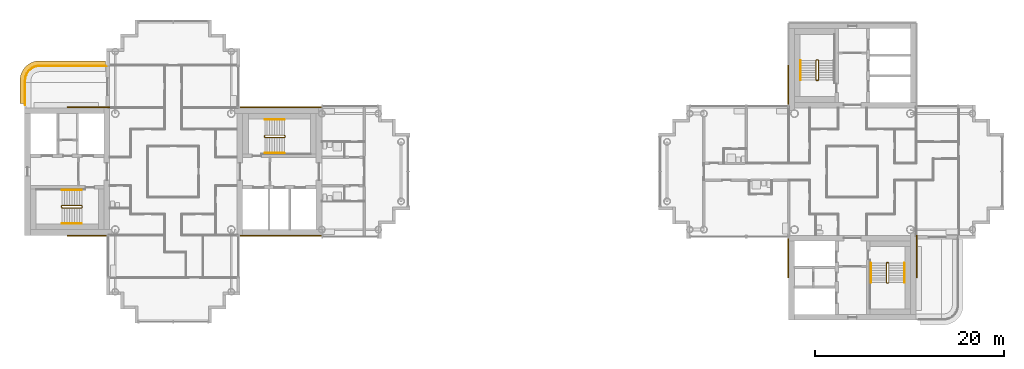
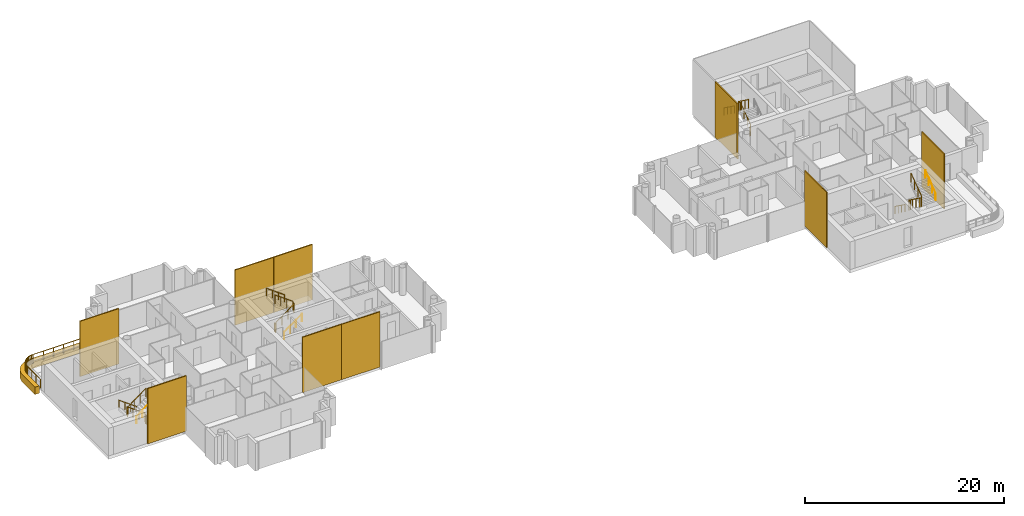
# One storey, part 16 of 18: 12 railings, 10 coverings.
"""IFC4 building model written with IfcOpenShell, lengths in metres."""

from ifc_helpers import new_model, si_unit, direction, frame, origin, origin_2d, place, context, subcontext, project, spatial, polyline, rectangle, circle, outline, extrude, material, layer, layer_set, type_object, element, save


model = new_model("IFC4")

# Units and contexts
model_context = context("Model", 3, precision=1e-05, world=origin(), true_north=direction((0.0, 1.0)))
body_context = subcontext(model_context, "Body", "Model", "MODEL_VIEW")
ifc_project = project(units=[si_unit("LENGTHUNIT", "METRE"), si_unit("AREAUNIT", "SQUARE_METRE"), si_unit("VOLUMEUNIT", "CUBIC_METRE"), si_unit("PLANEANGLEUNIT", "RADIAN"), si_unit("MASSUNIT", "GRAM", prefix="KILO")], contexts=[model_context])

# Site, building, storey
site_placement = place(None, origin())
site = spatial("IfcSite", under=ifc_project, at=site_placement, CompositionType="ELEMENT")
building_placement = place(site_placement, origin())
building = spatial("IfcBuilding", under=site, at=building_placement, Name="Ipe Terrace Towers", CompositionType="ELEMENT")
storey_placement = place(building_placement, frame((0.0, 0.0, 213.0)))
storey = spatial("IfcBuildingStorey", under=building, at=storey_placement, Name="L59", CompositionType="ELEMENT", Elevation=213.0)

# Railing
ifc_material_1 = material(Name="Stainless steel S316", Category="steel")
railing_type_1 = type_object("IfcRailingType", Name="GUARD 1100", PredefinedType="BALUSTRADE", material=ifc_material_1)
railing_1_placement = place(storey_placement, frame((-43.070068359375, 11.199951171875, -0.02001953125)))
element("IfcRailing", 1, at=railing_1_placement, inside=storey, type_object=railing_type_1, Name="guard", PredefinedType="BALUSTRADE", context=body_context, shape_type="SweptSolid", body=[
    extrude(circle(Radius=0.02392578125, at=origin_2d()), frame((0.0, 0.0, 1.076171875), z_axis=(-1.0, 0.0, 0.0), x_axis=(0.0, -1.0, 0.0)), (0.0, 0.0, 1.0), 7.077880859375),
    extrude(circle(Radius=0.02392578125, at=origin_2d()), frame((-7.077880859375, 0.0, 1.076171875), z_axis=(-0.997996439513, -0.063270109204, 0.0), x_axis=(0.063270109204, -0.997996439513, 0.0)), (0.0, 0.0, 1.0), 0.20458984375),
    extrude(circle(Radius=0.02392578125, at=origin_2d()), frame((-7.281982421875, -0.012939453125, 1.076171875), z_axis=(-0.980348670139, -0.197272615832, 0.0), x_axis=(0.197272615832, -0.980348670139, 0.0)), (0.0, 0.0, 1.0), 0.202880859375),
    extrude(circle(Radius=0.02392578125, at=origin_2d()), frame((-7.48095703125, -0.052978515625, 1.076171875), z_axis=(-0.947227229435, -0.320562904618, 0.0), x_axis=(0.320562904618, -0.947227229435, 0.0)), (0.0, 0.0, 1.0), 0.20263671875),
    extrude(circle(Radius=0.02392578125, at=origin_2d()), frame((-7.6728515625, -0.117919921875, 1.076171875), z_axis=(-0.896341374877, -0.443364567466, 0.0), x_axis=(0.443364567466, -0.896341374877, 0.0)), (0.0, 0.0, 1.0), 0.203125),
    extrude(circle(Radius=0.02392578125, at=origin_2d()), frame((-7.85498046875, -0.2080078125, 1.076171875), z_axis=(-0.833344910936, -0.552753344103, 0.0), x_axis=(0.552753344103, -0.833344910936, 0.0)), (0.0, 0.0, 1.0), 0.20263671875),
    extrude(circle(Radius=0.02392578125, at=origin_2d()), frame((-8.02392578125, -0.320068359375, 1.076171875), z_axis=(-0.750856952854, -0.660464863827, 0.0), x_axis=(0.660464863827, -0.750856952854, 0.0)), (0.0, 0.0, 1.0), 0.20263671875),
    extrude(circle(Radius=0.02392578125, at=origin_2d()), frame((-8.176025390625, -0.453857421875, 1.076171875), z_axis=(-0.660464863827, -0.750856952854, 0.0), x_axis=(0.750856952854, -0.660464863827, 0.0)), (0.0, 0.0, 1.0), 0.20263671875),
    extrude(circle(Radius=0.02392578125, at=origin_2d()), frame((-8.309814453125, -0.60595703125, 1.076171875), z_axis=(-0.552753344103, -0.833344910936, 0.0), x_axis=(0.833344910936, -0.552753344103, 0.0)), (0.0, 0.0, 1.0), 0.20263671875),
    extrude(circle(Radius=0.02392578125, at=origin_2d()), frame((-8.421875, -0.77490234375, 1.076171875), z_axis=(-0.443364567466, -0.896341374877, 0.0), x_axis=(0.896341374877, -0.443364567466, 0.0)), (0.0, 0.0, 1.0), 0.203125),
    extrude(circle(Radius=0.02392578125, at=origin_2d()), frame((-8.511962890625, -0.95703125, 1.076171875), z_axis=(-0.320562904618, -0.947227229435, 0.0), x_axis=(0.947227229435, -0.320562904618, 0.0)), (0.0, 0.0, 1.0), 0.20263671875),
    extrude(circle(Radius=0.02392578125, at=origin_2d()), frame((-8.576904296875, -1.14892578125, 1.076171875), z_axis=(-0.197272615832, -0.980348670139, 0.0), x_axis=(0.980348670139, -0.197272615832, 0.0)), (0.0, 0.0, 1.0), 0.202880859375),
    extrude(circle(Radius=0.02392578125, at=origin_2d()), frame((-8.616943359375, -1.347900390625, 1.076171875), z_axis=(-0.063270109204, -0.997996439513, 0.0), x_axis=(0.997996439513, -0.063270109204, 0.0)), (0.0, 0.0, 1.0), 0.20458984375),
    extrude(circle(Radius=0.02392578125, at=origin_2d()), frame((-8.6298828125, -1.552001953125, 1.076171875), z_axis=(0.0, -1.0, 0.0), x_axis=(1.0, 0.0, 0.0)), (0.0, 0.0, 1.0), 2.577880859375),
    extrude(circle(Radius=0.02099609375, at=origin_2d()), origin(), (0.0, 0.0, 1.0), 1.052001953125),
    extrude(circle(Radius=0.02099609375, at=origin_2d()), frame((-1.1796875, 0.0, 0.0)), (0.0, 0.0, 1.0), 1.052001953125),
    extrude(circle(Radius=0.02099609375, at=origin_2d()), frame((-2.359375, 0.0, 0.0)), (0.0, 0.0, 1.0), 1.052001953125),
    extrude(circle(Radius=0.02099609375, at=origin_2d()), frame((-3.5390625, 0.0, 0.0)), (0.0, 0.0, 1.0), 1.052001953125),
    extrude(circle(Radius=0.02099609375, at=origin_2d()), frame((-4.718505859375, 0.0, 0.0)), (0.0, 0.0, 1.0), 1.052001953125),
    extrude(circle(Radius=0.02099609375, at=origin_2d()), frame((-5.898193359375, 0.0, 0.0)), (0.0, 0.0, 1.0), 1.052001953125),
    extrude(circle(Radius=0.02099609375, at=origin_2d()), frame((-7.077880859375, 0.0, 0.0)), (0.0, 0.0, 1.0), 1.052001953125),
    extrude(circle(Radius=0.02099609375, at=origin_2d()), frame((-7.281982421875, -0.012939453125, 0.0)), (0.0, 0.0, 1.0), 1.052001953125),
    extrude(circle(Radius=0.02099609375, at=origin_2d()), frame((-7.48095703125, -0.052978515625, 0.0)), (0.0, 0.0, 1.0), 1.052001953125),
    extrude(circle(Radius=0.02099609375, at=origin_2d()), frame((-7.6728515625, -0.117919921875, 0.0)), (0.0, 0.0, 1.0), 1.052001953125),
    extrude(circle(Radius=0.02099609375, at=origin_2d()), frame((-7.85498046875, -0.2080078125, 0.0)), (0.0, 0.0, 1.0), 1.052001953125),
    extrude(circle(Radius=0.02099609375, at=origin_2d()), frame((-8.02392578125, -0.320068359375, 0.0)), (0.0, 0.0, 1.0), 1.052001953125),
    extrude(circle(Radius=0.02099609375, at=origin_2d()), frame((-8.176025390625, -0.453857421875, 0.0)), (0.0, 0.0, 1.0), 1.052001953125),
    extrude(circle(Radius=0.02099609375, at=origin_2d()), frame((-8.309814453125, -0.60595703125, 0.0)), (0.0, 0.0, 1.0), 1.052001953125),
    extrude(circle(Radius=0.02099609375, at=origin_2d()), frame((-8.421875, -0.77490234375, 0.0)), (0.0, 0.0, 1.0), 1.052001953125),
    extrude(circle(Radius=0.02099609375, at=origin_2d()), frame((-8.511962890625, -0.95703125, 0.0)), (0.0, 0.0, 1.0), 1.052001953125),
    extrude(circle(Radius=0.02099609375, at=origin_2d()), frame((-8.576904296875, -1.14892578125, 0.0)), (0.0, 0.0, 1.0), 1.052001953125),
    extrude(circle(Radius=0.02099609375, at=origin_2d()), frame((-8.616943359375, -1.347900390625, 0.0)), (0.0, 0.0, 1.0), 1.052001953125),
    extrude(circle(Radius=0.02099609375, at=origin_2d()), frame((-8.6298828125, -1.552001953125, 0.0)), (0.0, 0.0, 1.0), 1.052001953125),
    extrude(circle(Radius=0.02099609375, at=origin_2d()), frame((-8.6298828125, -2.411376953125, 0.0)), (0.0, 0.0, 1.0), 1.052001953125),
    extrude(circle(Radius=0.02099609375, at=origin_2d()), frame((-8.6298828125, -3.2705078125, 0.0)), (0.0, 0.0, 1.0), 1.052001953125),
    extrude(circle(Radius=0.02099609375, at=origin_2d()), frame((-8.6298828125, -4.1298828125, 0.0)), (0.0, 0.0, 1.0), 1.052001953125),
])

# Coverings
ifc_material_2 = material(Name="Concrete C50/60 precast, buff finish", Category="concrete")
ifc_layer_1 = layer(ifc_material_2, 0.1201171875)
ifc_layer_set_1 = layer_set([ifc_layer_1], Name="STONE CORE CLADDING 120")
covering_type_1 = type_object("IfcCoveringType", Name="STONE CORE CLADDING 120", PredefinedType="CLADDING", material=ifc_layer_set_1)
for number, where, z_axis, x_axis, name in (
    (2, (-45.0, -6.81005859375, 0.0), (0.0, 0.0, 1.0), (1.0, 0.0, 0.0), "stone core cladding"),
    (3, (-45.0, 6.81005859375, 0.0), (0.0, 0.0, 1.0), (-1.0, 0.0, 0.0), "stone core cladding"),
    (4, (-27.0, -6.81005859375, 0.0), (0.0, 0.0, 1.0), (1.0, 0.0, 0.0), "stone core cladding"),
):
    element("IfcCovering", number, at=place(storey_placement, frame(where, z_axis=z_axis, x_axis=x_axis)), inside=storey, type_object=covering_type_1, Name=name, PredefinedType="CLADDING", context=body_context, shape_type="SweptSolid", body=[
        extrude(rectangle(XDim=4.5, YDim=0.1201171875, at=origin_2d()), origin(), (0.0, 0.0, 1.0), 6.800048828125),
    ])
covering_1_placement = place(storey_placement, frame((-22.4990234375, -6.81005859375, 0.0), z_axis=(0.0, 0.0, 1.0), x_axis=(1.0, 0.0, 0.0)))
element("IfcCovering", 5, at=covering_1_placement, inside=storey, type_object=covering_type_1, Name="stone core cladding", PredefinedType="CLADDING", context=body_context, shape_type="SweptSolid", body=[
    extrude(rectangle(XDim=4.5009765625, YDim=0.1201171875, at=origin_2d()), origin(), (0.0, 0.0, 1.0), 6.800048828125),
])
covering_2_placement = place(storey_placement, frame((-27.0, 6.81005859375, 0.0), z_axis=(0.0, 0.0, 1.0), x_axis=(-1.0, 0.0, 0.0)))
element("IfcCovering", 6, at=covering_2_placement, inside=storey, type_object=covering_type_1, Name="stone core cladding", PredefinedType="CLADDING", context=body_context, shape_type="SweptSolid", body=[
    extrude(rectangle(XDim=4.5, YDim=0.1201171875, at=origin_2d()), origin(), (0.0, 0.0, 1.0), 6.800048828125),
])
covering_3_placement = place(storey_placement, frame((-22.4990234375, 6.81005859375, 0.0), z_axis=(0.0, 0.0, 1.0), x_axis=(-1.0, 0.0, 0.0)))
element("IfcCovering", 7, at=covering_3_placement, inside=storey, type_object=covering_type_1, Name="stone core cladding", PredefinedType="CLADDING", context=body_context, shape_type="SweptSolid", body=[
    extrude(rectangle(XDim=4.5009765625, YDim=0.1201171875, at=origin_2d()), origin(), (0.0, 0.0, 1.0), 6.800048828125),
])
for number, where, z_axis, x_axis, name in (
    (8, (29.18994140625, -9.0, 0.0), (0.0, 0.0, 1.0), (0.0, -1.0, 0.0), "stone core cladding"),
    (9, (29.18994140625, 9.0, 0.0), (0.0, 0.0, 1.0), (0.0, -1.0, 0.0), "stone core cladding"),
    (10, (42.81005859375, -9.0, 0.0), (0.0, 0.0, 1.0), (0.0, 1.0, 0.0), "stone core cladding"),
):
    element("IfcCovering", number, at=place(storey_placement, frame(where, z_axis=z_axis, x_axis=x_axis)), inside=storey, type_object=covering_type_1, Name=name, PredefinedType="CLADDING", context=body_context, shape_type="SweptSolid", body=[
        extrude(rectangle(XDim=4.5, YDim=0.1201171875, at=origin_2d()), origin(), (0.0, 0.0, 1.0), 6.800048828125),
    ])
ifc_material_3 = material(Name="Concrete C50/60 precast, buff finish", Category="concrete")
ifc_layer_2 = layer(ifc_material_3, 0.5)
ifc_layer_set_2 = layer_set([ifc_layer_2], Name="STONE EDGE BAND 500 x 900")
covering_type_2 = type_object("IfcCoveringType", Name="STONE EDGE BAND 500 x 900", PredefinedType="CLADDING", material=ifc_layer_set_2)
covering_4_placement = place(storey_placement, frame((0.0, 0.0, -0.719970703125)))
element("IfcCovering", 11, at=covering_4_placement, inside=storey, type_object=covering_type_2, Name="stone edge band", PredefinedType="CLADDING", context=body_context, shape_type="SweptSolid", body=[
    extrude(outline(polyline([(-50.14990234375, 11.75), (-50.18310546875, 11.7490234375), (-50.39208984375, 11.735107421875), (-50.4560546875, 11.72705078125), (-50.662109375, 11.68603515625), (-50.72509765625, 11.6689453125), (-50.923095703125, 11.60205078125), (-50.98291015625, 11.576904296875), (-51.1708984375, 11.48388671875), (-51.22802734375, 11.450927734375), (-51.402099609375, 11.3349609375), (-51.4541015625, 11.294921875), (-51.611083984375, 11.156982421875), (-51.656982421875, 11.111083984375), (-51.794921875, 10.9541015625), (-51.8349609375, 10.902099609375), (-51.950927734375, 10.72802734375), (-51.98388671875, 10.6708984375), (-52.076904296875, 10.48291015625), (-52.10205078125, 10.423095703125), (-52.1689453125, 10.22509765625), (-52.18603515625, 10.162109375), (-52.22705078125, 9.9560546875), (-52.235107421875, 9.89208984375), (-52.2490234375, 9.68310546875), (-52.25, 9.64990234375), (-52.25, 7.199951171875), (-51.75, 7.199951171875), (-51.75, 9.64990234375), (-51.736083984375, 9.85888671875), (-51.695068359375, 10.06396484375), (-51.6279296875, 10.261962890625), (-51.535888671875, 10.449951171875), (-51.4189453125, 10.6240234375), (-51.281005859375, 10.781005859375), (-51.1240234375, 10.9189453125), (-50.949951171875, 11.035888671875), (-50.761962890625, 11.1279296875), (-50.56396484375, 11.195068359375), (-50.35888671875, 11.236083984375), (-50.14990234375, 11.25), (-43.199951171875, 11.25), (-43.199951171875, 11.75), (-50.14990234375, 11.75)])), origin(), (0.0, 0.0, 1.0), 0.89990234375),
])

# Railings
ifc_material_4 = material(Name="Steel S355", Category="steel")
railing_type_2 = type_object("IfcRailingType", Name="Stair guard 1100", PredefinedType="GUARDRAIL", material=ifc_material_4)
railing_2_placement = place(storey_placement, frame((-26.35009765625, 3.800048828125, 0.0)))
element("IfcRailing", 12, at=railing_2_placement, inside=storey, type_object=railing_type_2, Name="L59 T1-ST1 stair guard 1", PredefinedType="GUARDRAIL", context=body_context, shape_type="SweptSolid", body=[
    extrude(circle(Radius=0.02392578125, at=origin_2d()), frame((0.0, 0.0, 1.076171875), z_axis=(0.0, -1.0, 0.0), x_axis=(1.0, 0.0, 0.0)), (0.0, 0.0, 1.0), 0.150146484375),
    extrude(circle(Radius=0.02392578125, at=origin_2d()), frame((0.0, -0.150146484375, 1.076171875), z_axis=(0.248103849378, -0.246893586699, 0.936743314239), x_axis=(0.705375805398, 0.708833529934, 0.0)), (0.0, 0.0, 1.0), 0.20166015625),
    extrude(circle(Radius=0.02392578125, at=origin_2d()), frame((0.050048828125, -0.199951171875, 1.26513671875), z_axis=(0.809068575486, 0.0, 0.587714250432), x_axis=(0.0, 1.0, 0.0)), (0.0, 0.0, 1.0), 2.571044921875),
    extrude(circle(Radius=0.02392578125, at=origin_2d()), frame((2.130126953125, -0.199951171875, 2.77587890625), z_axis=(0.708833529934, 0.705375805398, 0.0), x_axis=(-0.705375805398, 0.708833529934, 0.0)), (0.0, 0.0, 1.0), 0.070556640625),
    extrude(circle(Radius=0.02392578125, at=origin_2d()), frame((2.18017578125, -0.150146484375, 2.77587890625), z_axis=(0.0, 1.0, 0.0), x_axis=(-1.0, 0.0, 0.0)), (0.0, 0.0, 1.0), 0.150146484375),
    extrude(circle(Radius=0.02392578125, at=origin_2d()), frame((2.18017578125, 0.0, 2.77587890625), z_axis=(-0.248029566107, 0.248029566107, 0.936462849596), x_axis=(-0.707106781187, -0.707106781187, 0.0)), (0.0, 0.0, 1.0), 0.201904296875),
    extrude(circle(Radius=0.02392578125, at=origin_2d()), frame((2.130126953125, 0.050048828125, 2.96484375), z_axis=(-0.809068575486, 0.0, 0.587714250432), x_axis=(0.0, -1.0, 0.0)), (0.0, 0.0, 1.0), 2.571044921875),
    extrude(circle(Radius=0.02099609375, at=origin_2d()), origin(), (0.0, 0.0, 1.0), 1.052001953125),
    extrude(circle(Radius=0.02099609375, at=origin_2d()), frame((0.0, -0.150146484375, 0.0)), (0.0, 0.0, 1.0), 1.052001953125),
    extrude(circle(Radius=0.02099609375, at=origin_2d()), frame((0.050048828125, -0.199951171875, 0.18896484375)), (0.0, 0.0, 1.0), 1.052001953125),
    extrude(circle(Radius=0.02099609375, at=origin_2d()), frame((0.743408203125, -0.199951171875, 0.692626953125)), (0.0, 0.0, 1.0), 1.052001953125),
    extrude(circle(Radius=0.02099609375, at=origin_2d()), frame((1.436767578125, -0.199951171875, 1.1962890625)), (0.0, 0.0, 1.0), 1.052001953125),
    extrude(circle(Radius=0.02099609375, at=origin_2d()), frame((2.130126953125, -0.199951171875, 1.699951171875)), (0.0, 0.0, 1.0), 1.052001953125),
    extrude(circle(Radius=0.02099609375, at=origin_2d()), frame((2.18017578125, -0.150146484375, 1.699951171875)), (0.0, 0.0, 1.0), 1.052001953125),
    extrude(circle(Radius=0.02099609375, at=origin_2d()), frame((2.18017578125, 0.0, 1.699951171875)), (0.0, 0.0, 1.0), 1.052001953125),
    extrude(circle(Radius=0.02099609375, at=origin_2d()), frame((2.130126953125, 0.050048828125, 1.888916015625)), (0.0, 0.0, 1.0), 1.052001953125),
    extrude(circle(Radius=0.02099609375, at=origin_2d()), frame((1.436767578125, 0.050048828125, 2.392578125)), (0.0, 0.0, 1.0), 1.052001953125),
    extrude(circle(Radius=0.02099609375, at=origin_2d()), frame((0.743408203125, 0.050048828125, 2.896240234375)), (0.0, 0.0, 1.0), 1.052001953125),
    extrude(circle(Radius=0.02099609375, at=origin_2d()), frame((0.050048828125, 0.050048828125, 3.39990234375)), (0.0, 0.0, 1.0), 1.052001953125),
])
railing_3_placement = place(storey_placement, frame((-45.64990234375, -3.800048828125, 0.0)))
element("IfcRailing", 13, at=railing_3_placement, inside=storey, type_object=railing_type_2, Name="L59 T1-ST2 stair guard 1", PredefinedType="GUARDRAIL", context=body_context, shape_type="SweptSolid", body=[
    extrude(circle(Radius=0.02392578125, at=origin_2d()), frame((0.0, 0.0, 1.076171875), z_axis=(0.0, 1.0, 0.0), x_axis=(-1.0, 0.0, 0.0)), (0.0, 0.0, 1.0), 0.150146484375),
    extrude(circle(Radius=0.02392578125, at=origin_2d()), frame((0.0, 0.150146484375, 1.076171875), z_axis=(-0.248103849378, 0.246893586699, 0.936743314239), x_axis=(-0.705375805398, -0.708833529934, 0.0)), (0.0, 0.0, 1.0), 0.20166015625),
    extrude(circle(Radius=0.02392578125, at=origin_2d()), frame((-0.050048828125, 0.199951171875, 1.26513671875), z_axis=(-0.809068575486, 0.0, 0.587714250432), x_axis=(0.0, -1.0, 0.0)), (0.0, 0.0, 1.0), 2.571044921875),
    extrude(circle(Radius=0.02392578125, at=origin_2d()), frame((-2.130126953125, 0.199951171875, 2.77587890625), z_axis=(-0.708833529934, -0.705375805398, 0.0), x_axis=(0.705375805398, -0.708833529934, 0.0)), (0.0, 0.0, 1.0), 0.070556640625),
    extrude(circle(Radius=0.02392578125, at=origin_2d()), frame((-2.18017578125, 0.150146484375, 2.77587890625), z_axis=(0.0, -1.0, 0.0), x_axis=(1.0, 0.0, 0.0)), (0.0, 0.0, 1.0), 0.150146484375),
    extrude(circle(Radius=0.02392578125, at=origin_2d()), frame((-2.18017578125, 0.0, 2.77587890625), z_axis=(0.248029566107, -0.248029566107, 0.936462849596), x_axis=(0.707106781187, 0.707106781187, 0.0)), (0.0, 0.0, 1.0), 0.201904296875),
    extrude(circle(Radius=0.02392578125, at=origin_2d()), frame((-2.130126953125, -0.050048828125, 2.96484375), z_axis=(0.809068575486, 0.0, 0.587714250432), x_axis=(0.0, 1.0, 0.0)), (0.0, 0.0, 1.0), 2.571044921875),
    extrude(circle(Radius=0.02099609375, at=origin_2d()), origin(), (0.0, 0.0, 1.0), 1.052001953125),
    extrude(circle(Radius=0.02099609375, at=origin_2d()), frame((0.0, 0.150146484375, 0.0)), (0.0, 0.0, 1.0), 1.052001953125),
    extrude(circle(Radius=0.02099609375, at=origin_2d()), frame((-0.050048828125, 0.199951171875, 0.18896484375)), (0.0, 0.0, 1.0), 1.052001953125),
    extrude(circle(Radius=0.02099609375, at=origin_2d()), frame((-0.743408203125, 0.199951171875, 0.692626953125)), (0.0, 0.0, 1.0), 1.052001953125),
    extrude(circle(Radius=0.02099609375, at=origin_2d()), frame((-1.436767578125, 0.199951171875, 1.1962890625)), (0.0, 0.0, 1.0), 1.052001953125),
    extrude(circle(Radius=0.02099609375, at=origin_2d()), frame((-2.130126953125, 0.199951171875, 1.699951171875)), (0.0, 0.0, 1.0), 1.052001953125),
    extrude(circle(Radius=0.02099609375, at=origin_2d()), frame((-2.18017578125, 0.150146484375, 1.699951171875)), (0.0, 0.0, 1.0), 1.052001953125),
    extrude(circle(Radius=0.02099609375, at=origin_2d()), frame((-2.18017578125, 0.0, 1.699951171875)), (0.0, 0.0, 1.0), 1.052001953125),
    extrude(circle(Radius=0.02099609375, at=origin_2d()), frame((-2.130126953125, -0.050048828125, 1.888916015625)), (0.0, 0.0, 1.0), 1.052001953125),
    extrude(circle(Radius=0.02099609375, at=origin_2d()), frame((-1.436767578125, -0.050048828125, 2.392578125)), (0.0, 0.0, 1.0), 1.052001953125),
    extrude(circle(Radius=0.02099609375, at=origin_2d()), frame((-0.743408203125, -0.050048828125, 2.896240234375)), (0.0, 0.0, 1.0), 1.052001953125),
    extrude(circle(Radius=0.02099609375, at=origin_2d()), frame((-0.050048828125, -0.050048828125, 3.39990234375)), (0.0, 0.0, 1.0), 1.052001953125),
])
railing_4_placement = place(storey_placement, frame((32.199951171875, 9.64990234375, 0.0)))
element("IfcRailing", 14, at=railing_4_placement, inside=storey, type_object=railing_type_2, Name="L59 T2-ST1 stair guard 1", PredefinedType="GUARDRAIL", context=body_context, shape_type="SweptSolid", body=[
    extrude(circle(Radius=0.02392578125, at=origin_2d()), frame((0.0, 0.0, 1.076171875), z_axis=(1.0, 0.0, 0.0), x_axis=(0.0, 1.0, 0.0)), (0.0, 0.0, 1.0), 0.150146484375),
    extrude(circle(Radius=0.02392578125, at=origin_2d()), frame((0.150146484375, 0.0, 1.076171875), z_axis=(0.246893586699, 0.248103849378, 0.936743314239), x_axis=(-0.708833529934, 0.705375805398, 0.0)), (0.0, 0.0, 1.0), 0.20166015625),
    extrude(circle(Radius=0.02392578125, at=origin_2d()), frame((0.199951171875, 0.050048828125, 1.26513671875), z_axis=(0.0, 0.809068575486, 0.587714250432), x_axis=(-1.0, 0.0, 0.0)), (0.0, 0.0, 1.0), 2.571044921875),
    extrude(circle(Radius=0.02392578125, at=origin_2d()), frame((0.199951171875, 2.130126953125, 2.77587890625), z_axis=(-0.705375805398, 0.708833529934, 0.0), x_axis=(-0.708833529934, -0.705375805398, 0.0)), (0.0, 0.0, 1.0), 0.070556640625),
    extrude(circle(Radius=0.02392578125, at=origin_2d()), frame((0.150146484375, 2.18017578125, 2.77587890625), z_axis=(-1.0, 0.0, 0.0), x_axis=(0.0, -1.0, 0.0)), (0.0, 0.0, 1.0), 0.150146484375),
    extrude(circle(Radius=0.02392578125, at=origin_2d()), frame((0.0, 2.18017578125, 2.77587890625), z_axis=(-0.248029566107, -0.248029566107, 0.936462849596), x_axis=(0.707106781187, -0.707106781187, 0.0)), (0.0, 0.0, 1.0), 0.201904296875),
    extrude(circle(Radius=0.02392578125, at=origin_2d()), frame((-0.050048828125, 2.130126953125, 2.96484375), z_axis=(0.0, -0.809068575486, 0.587714250432), x_axis=(1.0, 0.0, 0.0)), (0.0, 0.0, 1.0), 2.571044921875),
    extrude(circle(Radius=0.02099609375, at=origin_2d()), origin(), (0.0, 0.0, 1.0), 1.052001953125),
    extrude(circle(Radius=0.02099609375, at=origin_2d()), frame((0.150146484375, 0.0, 0.0)), (0.0, 0.0, 1.0), 1.052001953125),
    extrude(circle(Radius=0.02099609375, at=origin_2d()), frame((0.199951171875, 0.050048828125, 0.18896484375)), (0.0, 0.0, 1.0), 1.052001953125),
    extrude(circle(Radius=0.02099609375, at=origin_2d()), frame((0.199951171875, 0.743408203125, 0.692626953125)), (0.0, 0.0, 1.0), 1.052001953125),
    extrude(circle(Radius=0.02099609375, at=origin_2d()), frame((0.199951171875, 1.436767578125, 1.1962890625)), (0.0, 0.0, 1.0), 1.052001953125),
    extrude(circle(Radius=0.02099609375, at=origin_2d()), frame((0.199951171875, 2.130126953125, 1.699951171875)), (0.0, 0.0, 1.0), 1.052001953125),
    extrude(circle(Radius=0.02099609375, at=origin_2d()), frame((0.150146484375, 2.18017578125, 1.699951171875)), (0.0, 0.0, 1.0), 1.052001953125),
    extrude(circle(Radius=0.02099609375, at=origin_2d()), frame((0.0, 2.18017578125, 1.699951171875)), (0.0, 0.0, 1.0), 1.052001953125),
    extrude(circle(Radius=0.02099609375, at=origin_2d()), frame((-0.050048828125, 2.130126953125, 1.888916015625)), (0.0, 0.0, 1.0), 1.052001953125),
    extrude(circle(Radius=0.02099609375, at=origin_2d()), frame((-0.050048828125, 1.436767578125, 2.392578125)), (0.0, 0.0, 1.0), 1.052001953125),
    extrude(circle(Radius=0.02099609375, at=origin_2d()), frame((-0.050048828125, 0.743408203125, 2.896240234375)), (0.0, 0.0, 1.0), 1.052001953125),
    extrude(circle(Radius=0.02099609375, at=origin_2d()), frame((-0.050048828125, 0.050048828125, 3.39990234375)), (0.0, 0.0, 1.0), 1.052001953125),
])
railing_5_placement = place(storey_placement, frame((39.800048828125, -9.64990234375, 0.0)))
element("IfcRailing", 15, at=railing_5_placement, inside=storey, type_object=railing_type_2, Name="L59 T2-ST2 stair guard 1", PredefinedType="GUARDRAIL", context=body_context, shape_type="SweptSolid", body=[
    extrude(circle(Radius=0.02392578125, at=origin_2d()), frame((0.0, 0.0, 1.076171875), z_axis=(-1.0, 0.0, 0.0), x_axis=(0.0, -1.0, 0.0)), (0.0, 0.0, 1.0), 0.150146484375),
    extrude(circle(Radius=0.02392578125, at=origin_2d()), frame((-0.150146484375, 0.0, 1.076171875), z_axis=(-0.246893586699, -0.248103849378, 0.936743314239), x_axis=(0.708833529934, -0.705375805398, 0.0)), (0.0, 0.0, 1.0), 0.20166015625),
    extrude(circle(Radius=0.02392578125, at=origin_2d()), frame((-0.199951171875, -0.050048828125, 1.26513671875), z_axis=(0.0, -0.809068575486, 0.587714250432), x_axis=(1.0, 0.0, 0.0)), (0.0, 0.0, 1.0), 2.571044921875),
    extrude(circle(Radius=0.02392578125, at=origin_2d()), frame((-0.199951171875, -2.130126953125, 2.77587890625), z_axis=(0.705375805398, -0.708833529934, 0.0), x_axis=(0.708833529934, 0.705375805398, 0.0)), (0.0, 0.0, 1.0), 0.070556640625),
    extrude(circle(Radius=0.02392578125, at=origin_2d()), frame((-0.150146484375, -2.18017578125, 2.77587890625), z_axis=(1.0, 0.0, 0.0), x_axis=(0.0, 1.0, 0.0)), (0.0, 0.0, 1.0), 0.150146484375),
    extrude(circle(Radius=0.02392578125, at=origin_2d()), frame((0.0, -2.18017578125, 2.77587890625), z_axis=(0.248029566107, 0.248029566107, 0.936462849596), x_axis=(-0.707106781187, 0.707106781187, 0.0)), (0.0, 0.0, 1.0), 0.201904296875),
    extrude(circle(Radius=0.02392578125, at=origin_2d()), frame((0.050048828125, -2.130126953125, 2.96484375), z_axis=(0.0, 0.809068575486, 0.587714250432), x_axis=(-1.0, 0.0, 0.0)), (0.0, 0.0, 1.0), 2.571044921875),
    extrude(circle(Radius=0.02099609375, at=origin_2d()), origin(), (0.0, 0.0, 1.0), 1.052001953125),
    extrude(circle(Radius=0.02099609375, at=origin_2d()), frame((-0.150146484375, 0.0, 0.0)), (0.0, 0.0, 1.0), 1.052001953125),
    extrude(circle(Radius=0.02099609375, at=origin_2d()), frame((-0.199951171875, -0.050048828125, 0.18896484375)), (0.0, 0.0, 1.0), 1.052001953125),
    extrude(circle(Radius=0.02099609375, at=origin_2d()), frame((-0.199951171875, -0.743408203125, 0.692626953125)), (0.0, 0.0, 1.0), 1.052001953125),
    extrude(circle(Radius=0.02099609375, at=origin_2d()), frame((-0.199951171875, -1.436767578125, 1.1962890625)), (0.0, 0.0, 1.0), 1.052001953125),
    extrude(circle(Radius=0.02099609375, at=origin_2d()), frame((-0.199951171875, -2.130126953125, 1.699951171875)), (0.0, 0.0, 1.0), 1.052001953125),
    extrude(circle(Radius=0.02099609375, at=origin_2d()), frame((-0.150146484375, -2.18017578125, 1.699951171875)), (0.0, 0.0, 1.0), 1.052001953125),
    extrude(circle(Radius=0.02099609375, at=origin_2d()), frame((0.0, -2.18017578125, 1.699951171875)), (0.0, 0.0, 1.0), 1.052001953125),
    extrude(circle(Radius=0.02099609375, at=origin_2d()), frame((0.050048828125, -2.130126953125, 1.888916015625)), (0.0, 0.0, 1.0), 1.052001953125),
    extrude(circle(Radius=0.02099609375, at=origin_2d()), frame((0.050048828125, -1.436767578125, 2.392578125)), (0.0, 0.0, 1.0), 1.052001953125),
    extrude(circle(Radius=0.02099609375, at=origin_2d()), frame((0.050048828125, -0.743408203125, 2.896240234375)), (0.0, 0.0, 1.0), 1.052001953125),
    extrude(circle(Radius=0.02099609375, at=origin_2d()), frame((0.050048828125, -0.050048828125, 3.39990234375)), (0.0, 0.0, 1.0), 1.052001953125),
])
ifc_material_5 = material(Name="Stainless steel grade 304", Category="steel")
railing_type_3 = type_object("IfcRailingType", Name="Stair handrail 900", PredefinedType="HANDRAIL", material=ifc_material_5)
railing_6_placement = place(storey_placement, frame((-26.300048828125, 1.949951171875, 0.18896484375)))
element("IfcRailing", 16, at=railing_6_placement, inside=storey, type_object=railing_type_3, Name="L59 T1-ST1 stair handrail 1", PredefinedType="HANDRAIL", context=body_context, shape_type="SweptSolid", body=[
    extrude(circle(Radius=0.02392578125, at=origin_2d()), frame((0.0, 0.0, 0.8759765625), z_axis=(0.809068575486, 0.0, 0.587714250432), x_axis=(0.0, 1.0, 0.0)), (0.0, 0.0, 1.0), 2.571044921875),
    extrude(circle(Radius=0.02099609375, at=origin_2d()), origin(), (0.0, 0.0, 1.0), 0.851806640625),
    extrude(circle(Radius=0.02099609375, at=origin_2d()), frame((0.693359375, 0.0, 0.503662109375)), (0.0, 0.0, 1.0), 0.851806640625),
    extrude(circle(Radius=0.02099609375, at=origin_2d()), frame((1.38671875, 0.0, 1.00732421875)), (0.0, 0.0, 1.0), 0.851806640625),
    extrude(circle(Radius=0.02099609375, at=origin_2d()), frame((2.080078125, 0.0, 1.510986328125)), (0.0, 0.0, 1.0), 0.851806640625),
])
for number, where, name in (
    (17, (-24.219970703125, 5.5, 1.888916015625), "L59 T1-ST1 stair handrail 2"),
    (18, (-45.699951171875, -1.949951171875, 0.18896484375), "L59 T1-ST2 stair handrail 1"),
):
    element("IfcRailing", number, at=place(storey_placement, frame(where)), inside=storey, type_object=railing_type_3, Name=name, PredefinedType="HANDRAIL", context=body_context, shape_type="SweptSolid", body=[
        extrude(circle(Radius=0.02392578125, at=origin_2d()), frame((0.0, 0.0, 0.8759765625), z_axis=(-0.809068575486, 0.0, 0.587714250432), x_axis=(0.0, -1.0, 0.0)), (0.0, 0.0, 1.0), 2.571044921875),
        extrude(circle(Radius=0.02099609375, at=origin_2d()), origin(), (0.0, 0.0, 1.0), 0.851806640625),
        extrude(circle(Radius=0.02099609375, at=origin_2d()), frame((-0.693359375, 0.0, 0.503662109375)), (0.0, 0.0, 1.0), 0.851806640625),
        extrude(circle(Radius=0.02099609375, at=origin_2d()), frame((-1.38671875, 0.0, 1.00732421875)), (0.0, 0.0, 1.0), 0.851806640625),
        extrude(circle(Radius=0.02099609375, at=origin_2d()), frame((-2.080078125, 0.0, 1.510986328125)), (0.0, 0.0, 1.0), 0.851806640625),
    ])
railing_7_placement = place(storey_placement, frame((-47.780029296875, -5.5, 1.888916015625)))
element("IfcRailing", 19, at=railing_7_placement, inside=storey, type_object=railing_type_3, Name="L59 T1-ST2 stair handrail 2", PredefinedType="HANDRAIL", context=body_context, shape_type="SweptSolid", body=[
    extrude(circle(Radius=0.02392578125, at=origin_2d()), frame((0.0, 0.0, 0.8759765625), z_axis=(0.809068575486, 0.0, 0.587714250432), x_axis=(0.0, 1.0, 0.0)), (0.0, 0.0, 1.0), 2.571044921875),
    extrude(circle(Radius=0.02099609375, at=origin_2d()), origin(), (0.0, 0.0, 1.0), 0.851806640625),
    extrude(circle(Radius=0.02099609375, at=origin_2d()), frame((0.693359375, 0.0, 0.503662109375)), (0.0, 0.0, 1.0), 0.851806640625),
    extrude(circle(Radius=0.02099609375, at=origin_2d()), frame((1.38671875, 0.0, 1.00732421875)), (0.0, 0.0, 1.0), 0.851806640625),
    extrude(circle(Radius=0.02099609375, at=origin_2d()), frame((2.080078125, 0.0, 1.510986328125)), (0.0, 0.0, 1.0), 0.851806640625),
])
for number, where, name in (
    (20, (30.5, 11.780029296875, 1.888916015625), "L59 T2-ST1 stair handrail 2"),
    (21, (37.949951171875, -9.699951171875, 0.18896484375), "L59 T2-ST2 stair handrail 1"),
):
    element("IfcRailing", number, at=place(storey_placement, frame(where)), inside=storey, type_object=railing_type_3, Name=name, PredefinedType="HANDRAIL", context=body_context, shape_type="SweptSolid", body=[
        extrude(circle(Radius=0.02392578125, at=origin_2d()), frame((0.0, 0.0, 0.8759765625), z_axis=(0.0, -0.809068575486, 0.587714250432), x_axis=(1.0, 0.0, 0.0)), (0.0, 0.0, 1.0), 2.571044921875),
        extrude(circle(Radius=0.02099609375, at=origin_2d()), origin(), (0.0, 0.0, 1.0), 0.851806640625),
        extrude(circle(Radius=0.02099609375, at=origin_2d()), frame((0.0, -0.693359375, 0.503662109375)), (0.0, 0.0, 1.0), 0.851806640625),
        extrude(circle(Radius=0.02099609375, at=origin_2d()), frame((0.0, -1.38671875, 1.00732421875)), (0.0, 0.0, 1.0), 0.851806640625),
        extrude(circle(Radius=0.02099609375, at=origin_2d()), frame((0.0, -2.080078125, 1.510986328125)), (0.0, 0.0, 1.0), 0.851806640625),
    ])
railing_8_placement = place(storey_placement, frame((41.5, -11.780029296875, 1.888916015625)))
element("IfcRailing", 22, at=railing_8_placement, inside=storey, type_object=railing_type_3, Name="L59 T2-ST2 stair handrail 2", PredefinedType="HANDRAIL", context=body_context, shape_type="SweptSolid", body=[
    extrude(circle(Radius=0.02392578125, at=origin_2d()), frame((0.0, 0.0, 0.8759765625), z_axis=(0.0, 0.809068575486, 0.587714250432), x_axis=(-1.0, 0.0, 0.0)), (0.0, 0.0, 1.0), 2.571044921875),
    extrude(circle(Radius=0.02099609375, at=origin_2d()), origin(), (0.0, 0.0, 1.0), 0.851806640625),
    extrude(circle(Radius=0.02099609375, at=origin_2d()), frame((0.0, 0.693359375, 0.503662109375)), (0.0, 0.0, 1.0), 0.851806640625),
    extrude(circle(Radius=0.02099609375, at=origin_2d()), frame((0.0, 1.38671875, 1.00732421875)), (0.0, 0.0, 1.0), 0.851806640625),
    extrude(circle(Radius=0.02099609375, at=origin_2d()), frame((0.0, 2.080078125, 1.510986328125)), (0.0, 0.0, 1.0), 0.851806640625),
])

save(model, "model.ifc")
